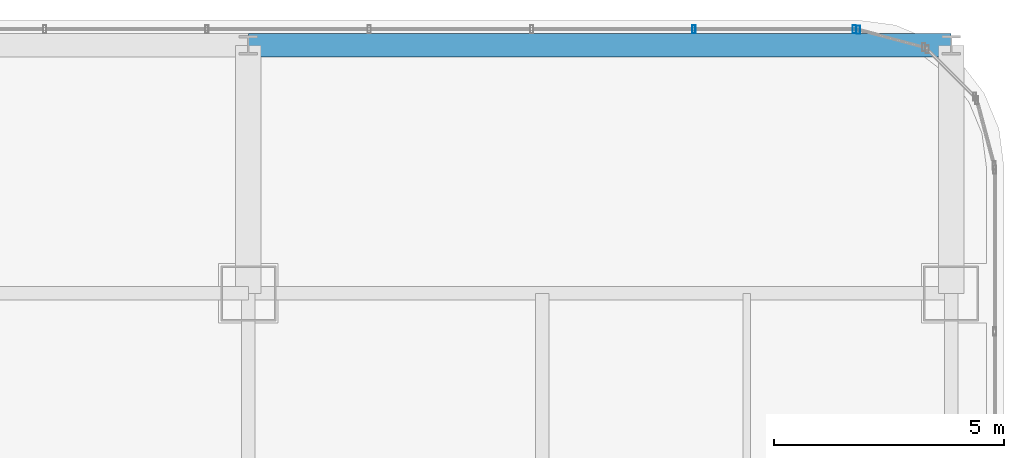
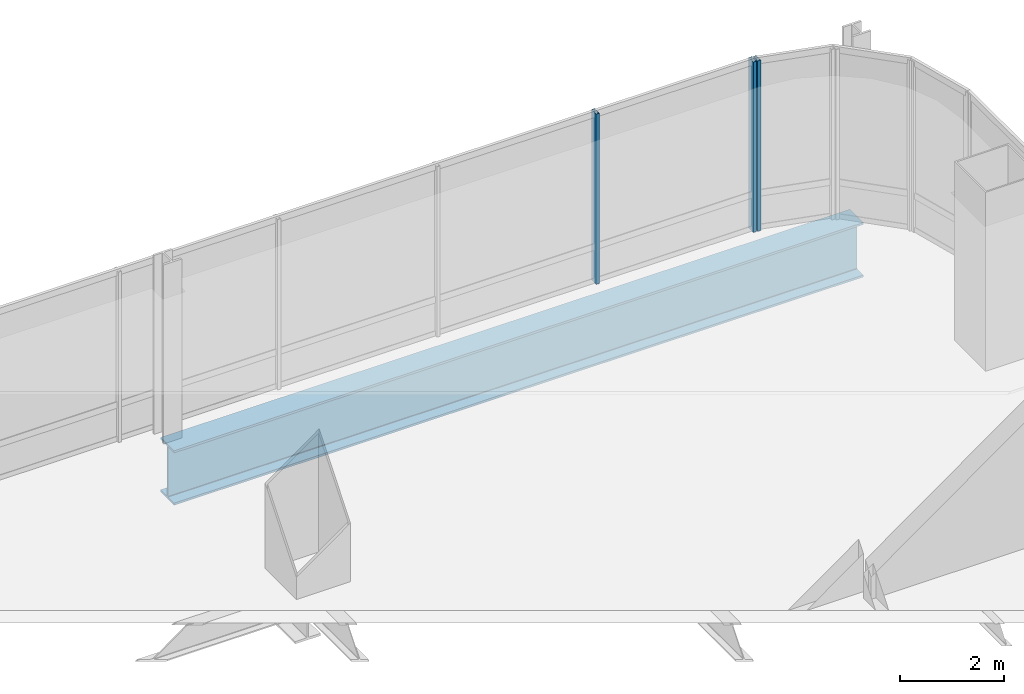
# One storey, part 30 of 42: 3 members, 1 beam, 2 elements without a shape of their own.
"""IFC4 building model written with IfcOpenShell, lengths in metres."""

from ifc_helpers import new_model, si_unit, direction, frame, origin, origin_2d, place, context, subcontext, project, spatial, hollow_rectangle, i_section, extrude, material, material_profile, profile_set, type_object, element, aggregate, save


model = new_model("IFC4")

# Units and contexts
model_context = context("Model", 3, precision=1e-05, world=origin(), true_north=direction((0.0, 1.0)))
body_context = subcontext(model_context, "Body", "Model", "MODEL_VIEW")
ifc_project = project(units=[si_unit("LENGTHUNIT", "METRE"), si_unit("AREAUNIT", "SQUARE_METRE"), si_unit("VOLUMEUNIT", "CUBIC_METRE"), si_unit("PLANEANGLEUNIT", "RADIAN"), si_unit("MASSUNIT", "GRAM", prefix="KILO")], contexts=[model_context])

# Site, building, storey
site_placement = place(None, origin())
site = spatial("IfcSite", under=ifc_project, at=site_placement, CompositionType="ELEMENT")
building_placement = place(site_placement, origin())
building = spatial("IfcBuilding", under=site, at=building_placement, Name="Punatoya Terracotta Tower", CompositionType="ELEMENT")
storey_placement = place(building_placement, frame((0.0, 0.0, 296.39990234375)))
storey = spatial("IfcBuildingStorey", under=building, at=storey_placement, Name="L70", CompositionType="ELEMENT", Elevation=296.39990234375)

# Beam
ifc_material_1 = material(Name="Steel S460", Category="steel")
ifc_material_profile_1 = material_profile(ifc_material_1, i_section(OverallWidth=0.52001953125, OverallDepth=1.280029296875, WebThickness=0.031982421875, FlangeThickness=0.050048828125, FilletRadius=0.01806640625, at=origin_2d()))
ifc_profile_set_1 = profile_set([ifc_material_profile_1], Name="Steel S460")
beam_type = type_object("IfcBeamType", Name="BM-TG-NCK", PredefinedType="BEAM", material=ifc_profile_set_1)
beam_placement = place(storey_placement, frame((3.800048828125, 22.89990234375, -0.83984375), z_axis=(1.0, 0.0, 0.0), x_axis=(0.0, 1.0, 0.0)))
element("IfcBeam", 1, at=beam_placement, inside=storey, type_object=beam_type, Name="BM-L70-PER-N3", PredefinedType="BEAM", context=body_context, shape_type="SweptSolid", body=[
    extrude(i_section(OverallWidth=0.52001953125, OverallDepth=1.280029296875, WebThickness=0.031982421875, FlangeThickness=0.050048828125, FilletRadius=0.01806640625, at=origin_2d()), origin(), (0.0, 0.0, 1.0), 15.300048828125),
])

# Curtain wall, member
ifc_material_2 = material(Name="Aluminium 6063-T6 + Double Low-E Glass", Category="aluminium")
curtain_wall_type = type_object("IfcCurtainWallType", Name="CW-M3", PredefinedType="NOTDEFINED", material=ifc_material_2)
curtain_wall_1_placement = place(storey_placement, origin())
curtain_wall_1 = element("IfcCurtainWall", 2, at=curtain_wall_1_placement, inside=storey, type_object=curtain_wall_type, Name="L70 Curtain Wall CW-L70-CRN08", PredefinedType="NOTDEFINED")
ifc_material_3 = material(Name="Aluminium 6063-T6", Category="aluminium")
ifc_material_profile_2 = material_profile(ifc_material_3, hollow_rectangle(XDim=0.070068359375, YDim=0.179931640625, WallThickness=0.00390625, at=origin_2d()))
ifc_profile_set_2 = profile_set([ifc_material_profile_2], Name="Aluminium 6063-T6")
member_type = type_object("IfcMemberType", Name="CW-MUL-M3", PredefinedType="MULLION", material=ifc_profile_set_2)
member_1_placement = place(storey_placement, frame((17.080322265625, 23.23828125, 0.0), z_axis=(0.0, 0.0, 1.0), x_axis=(1.0, 0.0, 0.0)))
member_1 = element("IfcMember", 3, at=member_1_placement, type_object=member_type, Name="CW-L70-CRN08 Mullion 01", PredefinedType="MULLION", context=body_context, shape_type="SweptSolid", body=[
    extrude(hollow_rectangle(XDim=0.070068359375, YDim=0.179931640625, WallThickness=0.00390625, at=origin_2d()), origin(), (0.0, 0.0, 1.0), 4.0),
])
aggregate(curtain_wall_1, [member_1])

# Curtain wall, members
curtain_wall_2_placement = place(storey_placement, origin())
curtain_wall_2 = element("IfcCurtainWall", 4, at=curtain_wall_2_placement, inside=storey, type_object=curtain_wall_type, Name="L70 Curtain Wall CW-L70-N09-1", PredefinedType="NOTDEFINED")
member_2_placement = place(storey_placement, frame((16.991943359375, 23.25, 0.0), z_axis=(0.0, 0.0, 1.0), x_axis=(1.0, 0.0, 0.0)))
member_2 = element("IfcMember", 5, at=member_2_placement, type_object=member_type, Name="CW-L70-N09-1 Mullion 00", PredefinedType="MULLION", context=body_context, shape_type="SweptSolid", body=[
    extrude(hollow_rectangle(XDim=0.070068359375, YDim=0.179931640625, WallThickness=0.00390625, at=origin_2d()), origin(), (0.0, 0.0, 1.0), 4.0),
])
member_3_placement = place(storey_placement, frame((13.5029296875, 23.25, 0.0), z_axis=(0.0, 0.0, 1.0), x_axis=(1.0, 0.0, 0.0)))
member_3 = element("IfcMember", 6, at=member_3_placement, type_object=member_type, Name="CW-L70-N09-1 Mullion 01", PredefinedType="MULLION", context=body_context, shape_type="SweptSolid", body=[
    extrude(hollow_rectangle(XDim=0.070068359375, YDim=0.179931640625, WallThickness=0.00390625, at=origin_2d()), origin(), (0.0, 0.0, 1.0), 4.0),
])
aggregate(curtain_wall_2, [member_2, member_3])

save(model, "model.ifc")
